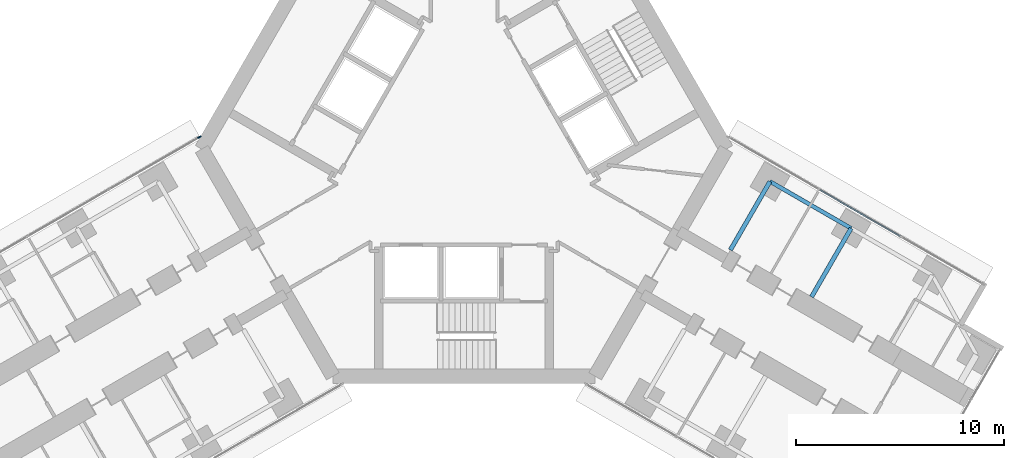
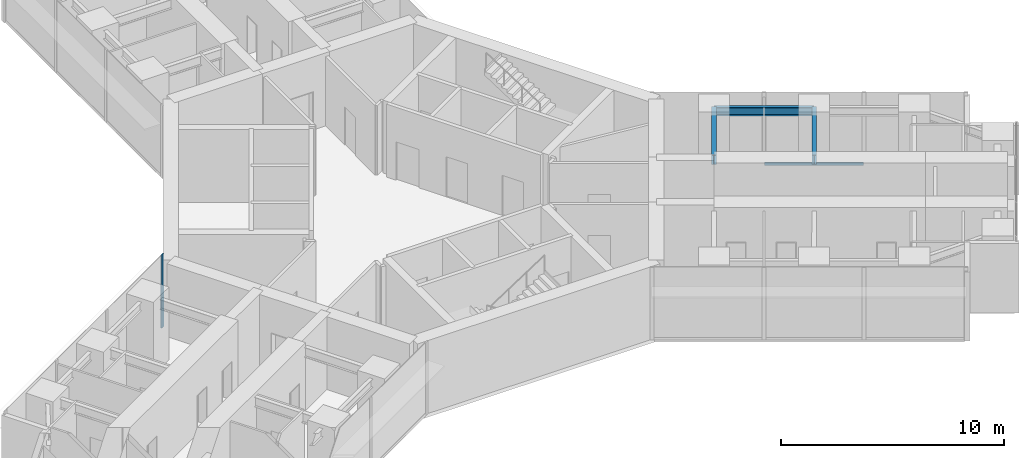
# One storey, part 10 of 25: 3 beams, 2 members, 2 elements without a shape of their own.
"""IFC4 building model written with IfcOpenShell, lengths in metres."""

from ifc_helpers import new_model, si_unit, direction, frame, origin, origin_2d, place, context, subcontext, project, spatial, rectangle, i_section, extrude, material, material_profile, profile_set, type_object, element, aggregate, save


model = new_model("IFC4")

# Units and contexts
model_context = context("Model", 3, precision=1e-05, world=origin(), true_north=direction((0.0, 1.0)))
body_context = subcontext(model_context, "Body", "Model", "MODEL_VIEW")
ifc_project = project(units=[si_unit("LENGTHUNIT", "METRE"), si_unit("AREAUNIT", "SQUARE_METRE"), si_unit("VOLUMEUNIT", "CUBIC_METRE"), si_unit("PLANEANGLEUNIT", "RADIAN"), si_unit("MASSUNIT", "GRAM", prefix="KILO")], contexts=[model_context])

# Site, building, storey
site_placement = place(None, origin())
site = spatial("IfcSite", under=ifc_project, at=site_placement, CompositionType="ELEMENT")
building_placement = place(site_placement, origin())
building = spatial("IfcBuilding", under=site, at=building_placement, Name="Upepo Twin Towers", CompositionType="ELEMENT")
storey_placement = place(building_placement, frame((0.0, 0.0, 72.5)))
storey = spatial("IfcBuildingStorey", under=building, at=storey_placement, Name="L17", CompositionType="ELEMENT", Elevation=72.5)

# Beams
ifc_material_1 = material(Name="Steel S355", Category="steel")
ifc_material_profile_1 = material_profile(ifc_material_1, i_section(OverallWidth=0.1904296875, OverallDepth=0.45703125, WebThickness=0.009033203125, FlangeThickness=0.014404296875, FilletRadius=0.01025390625, at=origin_2d()), Name="UB 457x191x74")
ifc_profile_set_1 = profile_set([ifc_material_profile_1], Name="Steel S355")
beam_type_1 = type_object("IfcBeamType", Name="Beam UB 457x191x74", PredefinedType="BEAM", material=ifc_profile_set_1)
beam_1_placement = place(storey_placement, frame((73.19140625, -19.553955078125, 3.571533203125), z_axis=(0.866017533419, -0.500013631625, 0.0), x_axis=(0.500013631625, 0.866017533419, 0.0)))
element("IfcBeam", 1, at=beam_1_placement, inside=storey, type_object=beam_type_1, Name="T2 edge beam CL 13.5-18.0", PredefinedType="BEAM", context=body_context, shape_type="SweptSolid", body=[
    extrude(i_section(OverallWidth=0.1904296875, OverallDepth=0.45703125, WebThickness=0.009033203125, FlangeThickness=0.014404296875, FilletRadius=0.01025390625, at=origin_2d()), origin(), (0.0, 0.0, 1.0), 4.499755859375),
])
ifc_material_2 = material(Name="Steel S355", Category="steel")
ifc_material_profile_2 = material_profile(ifc_material_2, i_section(OverallWidth=0.209228515625, OverallDepth=0.533203125, WebThickness=0.010009765625, FlangeThickness=0.015625, FilletRadius=0.0126953125, at=origin_2d()), Name="UB 533x210x92")
ifc_profile_set_2 = profile_set([ifc_material_profile_2], Name="Steel S355")
beam_type_2 = type_object("IfcBeamType", Name="Beam UB 533x210x92", PredefinedType="BEAM", material=ifc_profile_set_2)
beam_2_placement = place(storey_placement, frame((73.19140625, -19.553955078125, 3.533447265625), z_axis=(-0.500043160704, -0.866000483506, 0.0), x_axis=(0.866000483506, -0.500043160704, 0.0)))
element("IfcBeam", 2, at=beam_2_placement, inside=storey, type_object=beam_type_2, Name="T2 girder CL at 13.5", PredefinedType="BEAM", context=body_context, shape_type="SweptSolid", body=[
    extrude(i_section(OverallWidth=0.209228515625, OverallDepth=0.533203125, WebThickness=0.010009765625, FlangeThickness=0.015625, FilletRadius=0.0126953125, at=origin_2d()), origin(), (0.0, 0.0, 1.0), 3.800048828125),
])
beam_3_placement = place(storey_placement, frame((77.08837890625, -21.803955078125, 3.533447265625), z_axis=(-0.499994975061, -0.866028304915, 0.0), x_axis=(0.866028304915, -0.499994975061, 0.0)))
element("IfcBeam", 3, at=beam_3_placement, inside=storey, type_object=beam_type_2, Name="T2 girder CL at 18.0", PredefinedType="BEAM", context=body_context, shape_type="SweptSolid", body=[
    extrude(i_section(OverallWidth=0.209228515625, OverallDepth=0.533203125, WebThickness=0.010009765625, FlangeThickness=0.015625, FilletRadius=0.0126953125, at=origin_2d()), origin(), (0.0, 0.0, 1.0), 3.7998046875),
])

# Curtain wall, member
ifc_material_3 = material(Name="Aluminium and fritted glass", Category="aluminium")
curtain_wall_type = type_object("IfcCurtainWallType", Name="Tower curtain wall TW1, fritted glass", PredefinedType="NOTDEFINED", material=ifc_material_3)
curtain_wall_1_placement = place(storey_placement, origin())
curtain_wall_1 = element("IfcCurtainWall", 4, at=curtain_wall_1_placement, inside=storey, type_object=curtain_wall_type, Name="T2 L17 wing B flank R curtain wall", PredefinedType="NOTDEFINED")
ifc_material_4 = material(Name="Aluminium mullion", Category="aluminium")
ifc_material_profile_3 = material_profile(ifc_material_4, rectangle(XDim=0.06494140625, YDim=0.179931640625, at=origin_2d()), Name="MULLION 65x180")
ifc_profile_set_3 = profile_set([ifc_material_profile_3], Name="Aluminium mullion")
member_type_1 = type_object("IfcMemberType", Name="Mullion 65x180 TW1", PredefinedType="MULLION", material=ifc_profile_set_3)
member_1_placement = place(storey_placement, frame((45.79150390625, -17.427490234375, 0.0), z_axis=(0.0, 0.0, 1.0), x_axis=(-0.500000024426, 0.866025389682, 0.0)))
member_1 = element("IfcMember", 5, at=member_1_placement, type_object=member_type_1, Name="T2 L17 wing B flank R curtain wall mullion 4", PredefinedType="MULLION", context=body_context, shape_type="SweptSolid", body=[
    extrude(rectangle(XDim=0.06494140625, YDim=0.179931640625, at=origin_2d()), origin(), (0.0, 0.0, 1.0), 4.0),
])
aggregate(curtain_wall_1, [member_1])

curtain_wall_2_placement = place(storey_placement, origin())
curtain_wall_2 = element("IfcCurtainWall", 6, at=curtain_wall_2_placement, inside=storey, type_object=curtain_wall_type, Name="T2 L17 wing C flank L curtain wall", PredefinedType="NOTDEFINED")
ifc_material_5 = material(Name="Aluminium transom", Category="aluminium")
ifc_material_profile_4 = material_profile(ifc_material_5, rectangle(XDim=0.06494140625, YDim=0.14990234375, at=origin_2d()), Name="TRANSOM 65x150")
ifc_profile_set_4 = profile_set([ifc_material_profile_4], Name="Aluminium transom")
member_type_2 = type_object("IfcMemberType", Name="Transom 65x150 TW1", PredefinedType="USERDEFINED", material=ifc_profile_set_4)
member_2_placement = place(storey_placement, frame((75.593017578125, -19.958984375, 0.074951171875), z_axis=(0.866022410713, -0.500005184116, 0.0), x_axis=(0.500005184116, 0.866022410713, 0.0)))
member_2 = element("IfcMember", 7, at=member_2_placement, type_object=member_type_2, Name="T2 L17 wing C flank L curtain wall transom 2", ObjectType="TRANSOM", PredefinedType="USERDEFINED", context=body_context, shape_type="SweptSolid", body=[
    extrude(rectangle(XDim=0.06494140625, YDim=0.14990234375, at=origin_2d()), origin(), (0.0, 0.0, 1.0), 4.43505859375),
])
aggregate(curtain_wall_2, [member_2])

save(model, "model.ifc")
